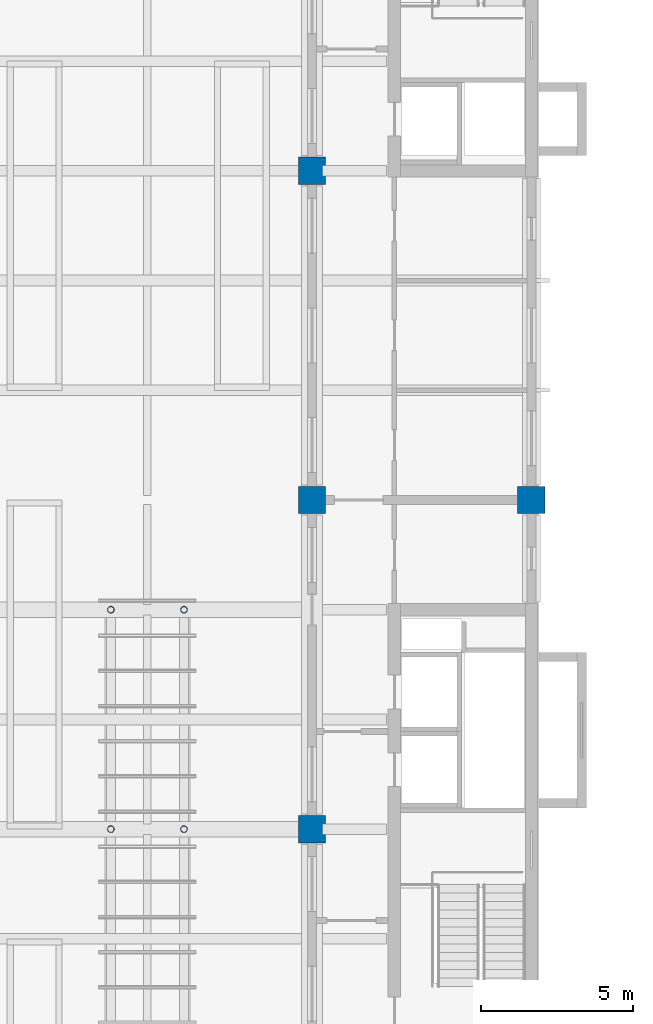
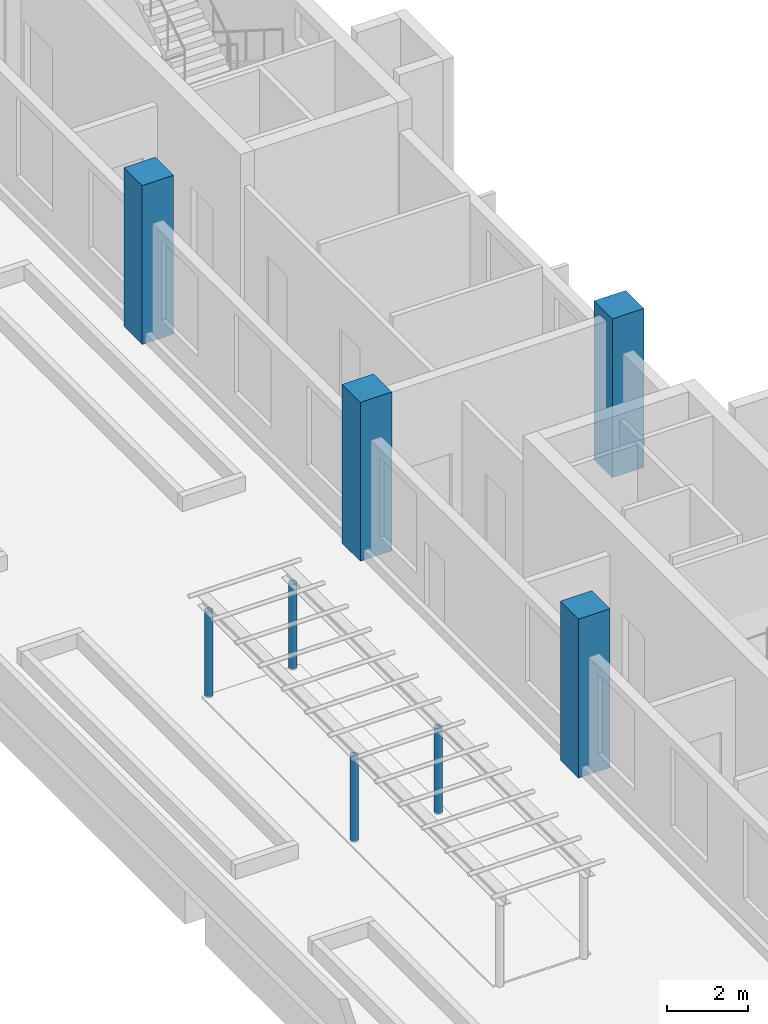
# One storey, part 4 of 32: 8 columns.
"""IFC4 building model written with IfcOpenShell, lengths in metres."""

from ifc_helpers import new_model, si_unit, direction, frame, origin, origin_2d, place, context, subcontext, project, spatial, rectangle, hollow_circle, extrude, material, material_profile, profile_set, type_object, element, save


model = new_model("IFC4")

# Units and contexts
model_context = context("Model", 3, precision=1e-05, world=origin(), true_north=direction((0.0, 1.0)))
body_context = subcontext(model_context, "Body", "Model", "MODEL_VIEW")
ifc_project = project(units=[si_unit("LENGTHUNIT", "METRE"), si_unit("AREAUNIT", "SQUARE_METRE"), si_unit("VOLUMEUNIT", "CUBIC_METRE"), si_unit("PLANEANGLEUNIT", "RADIAN"), si_unit("MASSUNIT", "GRAM", prefix="KILO")], contexts=[model_context])

# Site, building, storey
site_placement = place(None, origin())
site = spatial("IfcSite", under=ifc_project, at=site_placement, CompositionType="ELEMENT")
building_placement = place(site_placement, origin())
building = spatial("IfcBuilding", under=site, at=building_placement, Name="Basin Gate Institute", CompositionType="ELEMENT")
storey_placement = place(building_placement, frame((0.0, 0.0, 41.39990234375)))
storey = spatial("IfcBuildingStorey", under=building, at=storey_placement, Name="L08", CompositionType="ELEMENT", Elevation=41.39990234375)

# Columns
ifc_material_1 = material(Name="Concrete 50 MPa", Category="concrete")
ifc_material_profile_1 = material_profile(ifc_material_1, rectangle(XDim=0.89990234375, YDim=0.89990234375, at=origin_2d()), Name="Column C3 900 x 900")
ifc_profile_set_1 = profile_set([ifc_material_profile_1], Name="Concrete 50 MPa")
column_type_1 = type_object("IfcColumnType", Name="Column C3 R120", PredefinedType="COLUMN", material=ifc_profile_set_1)
for number, where, z_axis, x_axis, name in (
    (1, (118.800048828125, 78.300048828125, 0.0), (0.0, 0.0, 1.0), (1.0, 0.0, 0.0), "COL/L08/9E"),
    (2, (111.60009765625, 67.5, 0.0), (0.0, 0.0, 1.0), (1.0, 0.0, 0.0), "COL/L08/8D"),
    (3, (111.60009765625, 78.300048828125, 0.0), (0.0, 0.0, 1.0), (1.0, 0.0, 0.0), "COL/L08/8E"),
    (4, (111.60009765625, 89.10009765625, 0.0), (0.0, 0.0, 1.0), (1.0, 0.0, 0.0), "COL/L08/8F"),
):
    element("IfcColumn", number, at=place(storey_placement, frame(where, z_axis=z_axis, x_axis=x_axis)), inside=storey, type_object=column_type_1, material=ifc_profile_set_1, Name=name, PredefinedType="COLUMN", context=body_context, shape_type="SweptSolid", body=[
        extrude(rectangle(XDim=0.89990234375, YDim=0.89990234375, at=origin_2d()), origin(), (0.0, 0.0, 1.0), 4.800048828125),
    ])
ifc_material_2 = material(Name="Structural steel SN490", Category="steel")
ifc_material_profile_2 = material_profile(ifc_material_2, hollow_circle(Radius=0.109619140625, WallThickness=0.008056640625, at=origin_2d()), Name="CHS219x8")
ifc_profile_set_2 = profile_set([ifc_material_profile_2], Name="Structural steel SN490")
column_type_2 = type_object("IfcColumnType", Name="Pergola post TD3", PredefinedType="COLUMN", material=ifc_profile_set_2)
for number, where, z_axis, x_axis, name in (
    (5, (107.39990234375, 67.5, 0.0), (0.0, 0.0, 1.0), (1.0, 0.0, 0.0), "Pergola post TD3 E12"),
    (6, (107.39990234375, 74.699951171875, 0.0), (0.0, 0.0, 1.0), (1.0, 0.0, 0.0), "Pergola post TD3 E13"),
    (7, (105.0, 67.5, 0.0), (0.0, 0.0, 1.0), (1.0, 0.0, 0.0), "Pergola post TD3 E22"),
    (8, (105.0, 74.699951171875, 0.0), (0.0, 0.0, 1.0), (1.0, 0.0, 0.0), "Pergola post TD3 E23"),
):
    element("IfcColumn", number, at=place(storey_placement, frame(where, z_axis=z_axis, x_axis=x_axis)), inside=storey, type_object=column_type_2, material=ifc_profile_set_2, Name=name, PredefinedType="COLUMN", context=body_context, shape_type="SweptSolid", body=[
        extrude(hollow_circle(Radius=0.109619140625, WallThickness=0.008056640625, at=origin_2d()), origin(), (0.0, 0.0, 1.0), 2.60009765625),
    ])

save(model, "model.ifc")
